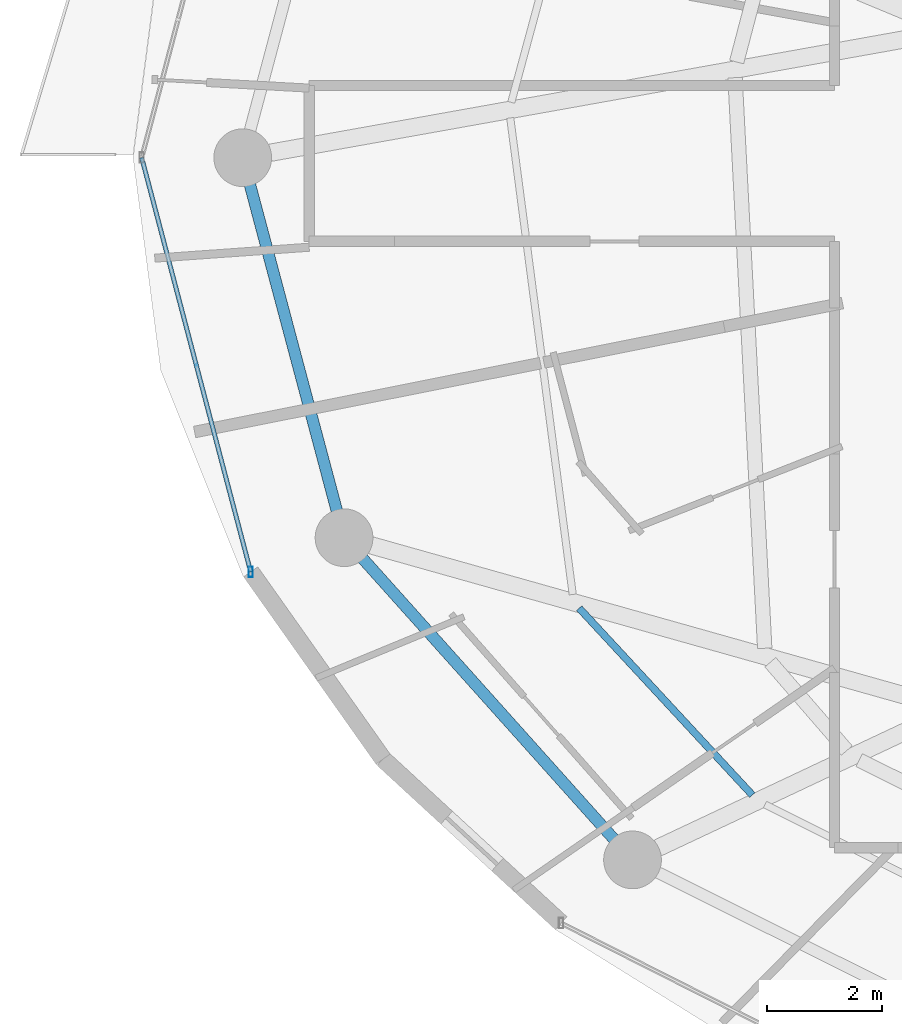
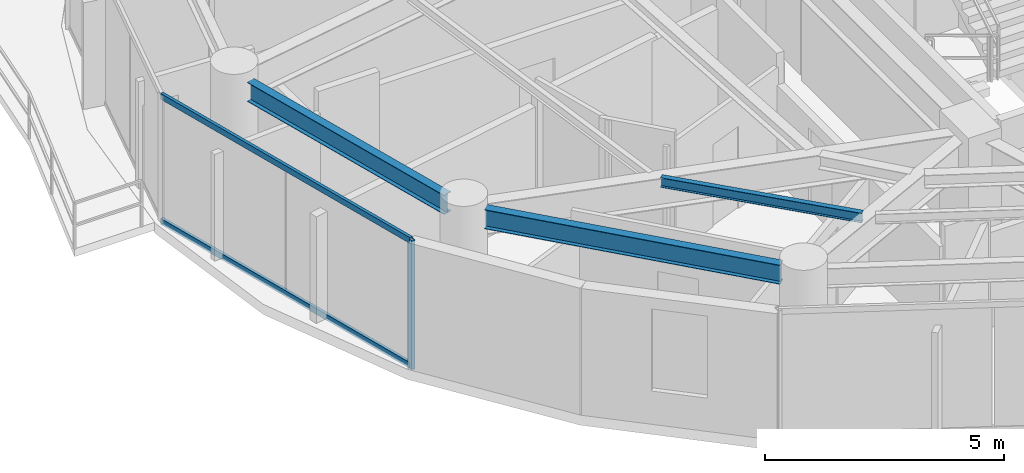
# One storey, part 3 of 30: 3 beams, 3 members, 1 element without a shape of its own.
"""IFC4 building model written with IfcOpenShell, lengths in metres."""

from ifc_helpers import new_model, si_unit, direction, frame, origin, origin_2d, place, context, subcontext, project, spatial, hollow_rectangle, i_section, extrude, material, material_profile, profile_set, type_object, element, aggregate, save


model = new_model("IFC4")

# Units and contexts
model_context = context("Model", 3, precision=1e-05, world=origin(), true_north=direction((0.0, 1.0)))
body_context = subcontext(model_context, "Body", "Model", "MODEL_VIEW")
ifc_project = project(units=[si_unit("LENGTHUNIT", "METRE"), si_unit("AREAUNIT", "SQUARE_METRE"), si_unit("VOLUMEUNIT", "CUBIC_METRE"), si_unit("PLANEANGLEUNIT", "RADIAN"), si_unit("MASSUNIT", "GRAM", prefix="KILO")], contexts=[model_context])

# Site, building, storey
site_placement = place(None, origin())
site = spatial("IfcSite", under=ifc_project, at=site_placement, CompositionType="ELEMENT")
building_placement = place(site_placement, origin())
building = spatial("IfcBuilding", under=site, at=building_placement, Name="Vorneva Point Tower", CompositionType="ELEMENT")
storey_placement = place(building_placement, frame((0.0, 0.0, 157.10009765625)))
storey = spatial("IfcBuildingStorey", under=building, at=storey_placement, Name="L42", CompositionType="ELEMENT", Elevation=157.10009765625)

# Beams
ifc_material_1 = material(Name="Steel S355", Category="steel")
ifc_material_profile_1 = material_profile(ifc_material_1, i_section(OverallWidth=0.1240234375, OverallDepth=0.248046875, WebThickness=0.0048828125, FlangeThickness=0.008056640625, at=origin_2d()), Name="25B1")
ifc_profile_set_1 = profile_set([ifc_material_profile_1], Name="Steel S355")
beam_type_1 = type_object("IfcBeamType", Name="BM-JST-25B1", PredefinedType="JOIST", material=ifc_profile_set_1)
beam_1_placement = place(storey_placement, frame((20.777587890625, 18.19677734375, 3.115966796875), z_axis=(0.679705864684, -0.733484790241, 0.0), x_axis=(0.733484790241, 0.679705864684, 0.0)))
element("IfcBeam", 1, at=beam_1_placement, inside=storey, type_object=beam_type_1, Name="L42 Secondary Floor Beam 1.10", PredefinedType="JOIST", context=body_context, shape_type="SweptSolid", body=[
    extrude(i_section(OverallWidth=0.1240234375, OverallDepth=0.248046875, WebThickness=0.0048828125, FlangeThickness=0.008056640625, at=origin_2d()), origin(), (0.0, 0.0, 1.0), 4.41259765625),
])
ifc_material_profile_2 = material_profile(ifc_material_1, i_section(OverallWidth=0.199951171875, OverallDepth=0.491943359375, WebThickness=0.0087890625, FlangeThickness=0.011962890625, at=origin_2d()), Name="50B1")
ifc_profile_set_2 = profile_set([ifc_material_profile_2], Name="Steel S355")
beam_type_2 = type_object("IfcBeamType", Name="BM-SPN-50B1", PredefinedType="SPANDREL", material=ifc_profile_set_2)
beam_2_placement = place(storey_placement, frame((15.074951171875, 25.531494140625, 2.993896484375), z_axis=(0.257550804648, -0.966264758245, 0.0), x_axis=(0.966264758245, 0.257550804648, 0.0)))
element("IfcBeam", 2, at=beam_2_placement, inside=storey, type_object=beam_type_2, Name="L42 Perimeter Spandrel Ring Beam 09", PredefinedType="SPANDREL", context=body_context, shape_type="SweptSolid", body=[
    extrude(i_section(OverallWidth=0.199951171875, OverallDepth=0.491943359375, WebThickness=0.0087890625, FlangeThickness=0.011962890625, at=origin_2d()), origin(), (0.0, 0.0, 1.0), 5.842041015625),
])
beam_3_placement = place(storey_placement, frame((17.028076171875, 19.056396484375, 2.993896484375), z_axis=(0.667111118975, -0.74495822362, 0.0), x_axis=(0.74495822362, 0.667111118975, 0.0)))
element("IfcBeam", 3, at=beam_3_placement, inside=storey, type_object=beam_type_2, Name="L42 Perimeter Spandrel Ring Beam 10", PredefinedType="SPANDREL", context=body_context, shape_type="SweptSolid", body=[
    extrude(i_section(OverallWidth=0.199951171875, OverallDepth=0.491943359375, WebThickness=0.0087890625, FlangeThickness=0.011962890625, at=origin_2d()), origin(), (0.0, 0.0, 1.0), 6.52001953125),
])

# Curtain wall, members
ifc_material_2 = material(Name="Pale anodised aluminium", Category="aluminium")
curtain_wall_type = type_object("IfcCurtainWallType", Name="CW-RES-SYS", PredefinedType="NOTDEFINED", material=ifc_material_2)
curtain_wall_placement = place(storey_placement, origin())
curtain_wall = element("IfcCurtainWall", 4, at=curtain_wall_placement, inside=storey, type_object=curtain_wall_type, Name="L42 Unitised Curtain Wall CW-L42-R03", PredefinedType="NOTDEFINED")
ifc_material_profile_3 = material_profile(ifc_material_2, hollow_rectangle(XDim=0.074951171875, YDim=0.179931640625, WallThickness=0.00390625, at=origin_2d()), Name="AL-MUL 180x75x4")
ifc_profile_set_3 = profile_set([ifc_material_profile_3], Name="Pale anodised aluminium")
member_type_1 = type_object("IfcMemberType", Name="CW-MUL-180", PredefinedType="MULLION", material=ifc_profile_set_3)
member_1_placement = place(storey_placement, frame((15.087890625, 18.82470703125, -0.0400390625), z_axis=(0.0, 0.0, 1.0), x_axis=(1.0, 0.0, 0.0)))
member_1 = element("IfcMember", 5, at=member_1_placement, type_object=member_type_1, Name="CW-L42-R03 Mullion 05", PredefinedType="MULLION", context=body_context, shape_type="SweptSolid", body=[
    extrude(hollow_rectangle(XDim=0.074951171875, YDim=0.179931640625, WallThickness=0.00390625, at=origin_2d()), origin(), (0.0, 0.0, 1.0), 3.31005859375),
])
ifc_material_profile_4 = material_profile(ifc_material_2, hollow_rectangle(XDim=0.074951171875, YDim=0.14990234375, WallThickness=0.00390625, at=origin_2d()), Name="AL-TRN 150x75x4")
ifc_profile_set_4 = profile_set([ifc_material_profile_4], Name="Pale anodised aluminium")
member_type_2 = type_object("IfcMemberType", Name="CW-TRN-150", PredefinedType="USERDEFINED", material=ifc_profile_set_4)
member_2_placement = place(storey_placement, frame((13.199951171875, 26.0, 0.02001953125), z_axis=(0.254456046293, -0.967084339913, 0.0), x_axis=(0.967084339913, 0.254456046293, 0.0)))
member_2 = element("IfcMember", 6, at=member_2_placement, type_object=member_type_2, Name="CW-L42-R03 Transom 04.1", ObjectType="TRANSOM", PredefinedType="USERDEFINED", context=body_context, shape_type="SweptSolid", body=[
    extrude(hollow_rectangle(XDim=0.074951171875, YDim=0.14990234375, WallThickness=0.00390625, at=origin_2d()), origin(), (0.0, 0.0, 1.0), 7.41943359375),
])
member_3_placement = place(storey_placement, frame((13.199951171875, 26.0, 3.219970703125), z_axis=(0.254456046293, -0.967084339913, 0.0), x_axis=(0.967084339913, 0.254456046293, 0.0)))
member_3 = element("IfcMember", 7, at=member_3_placement, type_object=member_type_2, Name="CW-L42-R03 Transom 04.2", ObjectType="TRANSOM", PredefinedType="USERDEFINED", context=body_context, shape_type="SweptSolid", body=[
    extrude(hollow_rectangle(XDim=0.074951171875, YDim=0.14990234375, WallThickness=0.00390625, at=origin_2d()), origin(), (0.0, 0.0, 1.0), 7.41943359375),
])
aggregate(curtain_wall, [member_1, member_2, member_3])

save(model, "model.ifc")
